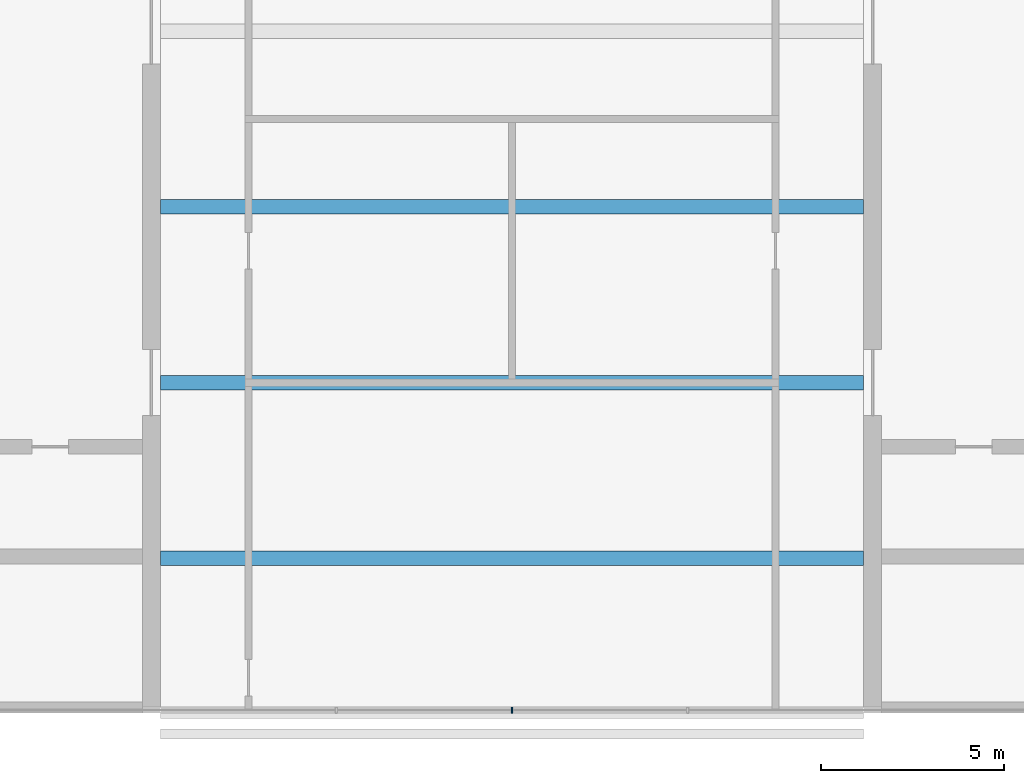
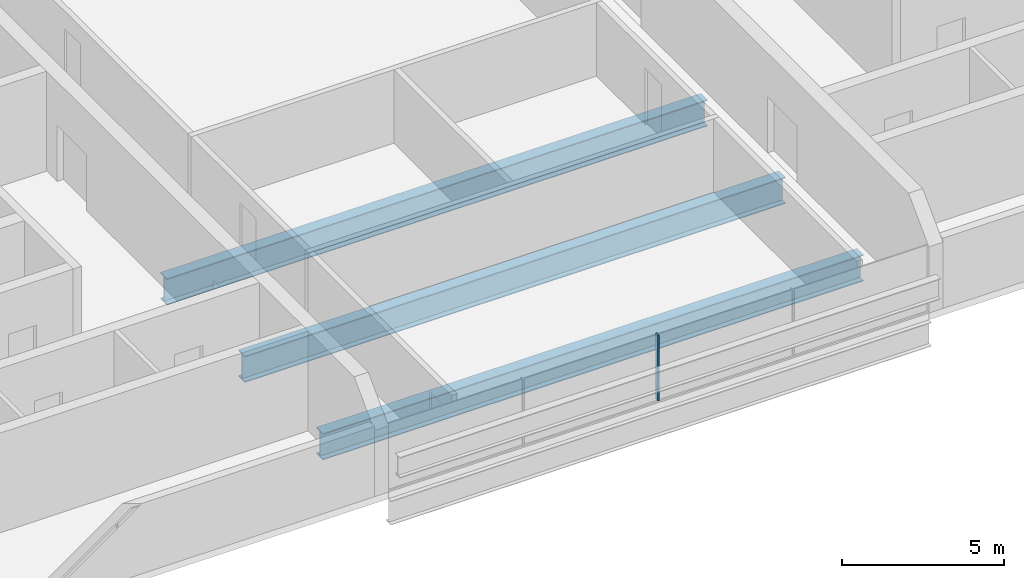
# One storey, part 4 of 12: 3 beams, 1 member, 1 element without a shape of its own.
"""IFC4 building model written with IfcOpenShell, lengths in metres."""

import ifcopenshell
import ifcopenshell.guid

model = None  # the IFC model being written
_history = None  # IfcOwnerHistory: only IFC2X3 demands one
_inside = {}  # id of a spatial element -> (the spatial element, [elements in it])
_under = {}  # id of a project, library or spatial element -> (it, [spatial elements below it])
_declared = {}  # id of a project -> (the project, [libraries it declares])
_typed = {}  # id of a type object -> (the type object, [elements of that type])
_made_of = {}  # id of a material, layer set ... -> (it, [elements and type objects made of it])


def new_model(schema):
    """Start an empty IFC model of exactly this schema.

    Asked for "IFC4X3", IfcOpenShell would pick the latest addendum, in which some entities
    have other attributes; the version numbers below select the first issue.
    IFC2X3 requires an IfcOwnerHistory on every rooted entity: one is made here for all.
    """
    global model, _history
    if schema == "IFC4X3":
        model = ifcopenshell.file(schema_version=(4, 3, 0, 0))
    else:
        model = ifcopenshell.file(schema=schema)
    _inside.clear()
    _under.clear()
    _declared.clear()
    _typed.clear()
    _made_of.clear()
    _history = None
    if model.schema == "IFC2X3":
        org = make("IfcOrganization", Name="unknown")
        user = make(
            "IfcPersonAndOrganization",
            ThePerson=make("IfcPerson", FamilyName="unknown"),
            TheOrganization=org,
        )
        app = make(
            "IfcApplication",
            ApplicationDeveloper=org,
            Version="unknown",
            ApplicationFullName="unknown",
            ApplicationIdentifier="unknown",
        )
        _history = make(
            "IfcOwnerHistory",
            OwningUser=user,
            OwningApplication=app,
            ChangeAction="ADDED",
            CreationDate=0,
        )
    return model


def make(cls, **values):
    """One entity of the class cls with the attributes given. An attribute that is None is left unset."""
    return model.create_entity(
        cls, **{name: value for name, value in values.items() if value is not None}
    )


def rooted(cls, **values):
    """An entity with a GlobalId (a new one), such as an element, a storey or a relation."""
    return make(cls, GlobalId=ifcopenshell.guid.new(), OwnerHistory=_history, **values)


def si_unit(unit_type, name, prefix=None):
    """IfcSIUnit, for example si_unit("LENGTHUNIT", "METRE", prefix="MILLI")."""
    return make("IfcSIUnit", UnitType=unit_type, Prefix=prefix, Name=name)


def assignment(units):
    """IfcUnitAssignment: the units of a project."""
    return None if units is None else make("IfcUnitAssignment", Units=units)


def point(xyz):
    """IfcCartesianPoint."""
    return None if xyz is None else make("IfcCartesianPoint", Coordinates=xyz)


def direction(xyz):
    """IfcDirection."""
    return None if xyz is None else make("IfcDirection", DirectionRatios=xyz)


def frame(location, z_axis=None, x_axis=None):
    """IfcAxis2Placement3D, a coordinate frame: its origin and axes. An axis left out is left unset."""
    return make(
        "IfcAxis2Placement3D",
        Location=point(location),
        Axis=direction(z_axis),
        RefDirection=direction(x_axis),
    )


def frame_2d(location, x_axis=None):
    """IfcAxis2Placement2D, a coordinate frame in the plane: its origin and x axis."""
    return make(
        "IfcAxis2Placement2D", Location=point(location), RefDirection=direction(x_axis)
    )


def origin():
    """The frame at (0, 0, 0) with its axes left unset."""
    return frame((0.0, 0.0, 0.0))


def origin_2d():
    """The frame at (0, 0) in the plane with its x axis left unset."""
    return frame_2d((0.0, 0.0))


def place(relative_to, where):
    """IfcLocalPlacement: puts the frame where relative to a parent placement (None: the world)."""
    return make(
        "IfcLocalPlacement", PlacementRelTo=relative_to, RelativePlacement=where
    )


def context(
    kind, dimensions, precision=None, world=None, true_north=None, identifier=None
):
    """IfcGeometricRepresentationContext, for example the 3D "Model" context."""
    return make(
        "IfcGeometricRepresentationContext",
        ContextIdentifier=identifier,
        ContextType=kind,
        CoordinateSpaceDimension=dimensions,
        Precision=precision,
        WorldCoordinateSystem=world,
        TrueNorth=true_north,
    )


def subcontext(parent, identifier, kind, view, scale=None):
    """IfcGeometricRepresentationSubContext, for example "Body" below "Model"."""
    return make(
        "IfcGeometricRepresentationSubContext",
        ContextIdentifier=identifier,
        ContextType=kind,
        ParentContext=parent,
        TargetScale=scale,
        TargetView=view,
    )


def project(units=None, contexts=None):
    """IfcProject with its units and contexts."""
    return rooted(
        "IfcProject",
        Name="project",
        RepresentationContexts=contexts,
        UnitsInContext=assignment(units),
    )


def spatial(cls, under=None, at=None, **own):
    """A site, building, storey or space (cls), placed at a placement, below another one or the project."""
    s = rooted(cls, ObjectPlacement=at, **own)
    if under is not None:
        _under.setdefault(under.id(), (under, []))[1].append(s)
    return s


def profile(cls, at=None, kind="AREA", **sizes):
    """A parametric profile (cls). Its sizes go by their IFC names, for example OverallWidth=200.0."""
    return make(cls, ProfileType=kind, Position=at, **sizes)


def rectangle(**sizes):
    """IfcRectangleProfileDef."""
    return profile("IfcRectangleProfileDef", **sizes)


def i_section(**sizes):
    """IfcIShapeProfileDef."""
    return profile("IfcIShapeProfileDef", **sizes)


def extrude(swept, where, along, depth):
    """IfcExtrudedAreaSolid: the profile swept, set in the frame where, extruded along a direction by depth."""
    return make(
        "IfcExtrudedAreaSolid",
        SweptArea=swept,
        Position=where,
        ExtrudedDirection=direction(along),
        Depth=depth,
    )


def shape(context_of_items, identifier, shape_type, items):
    """IfcShapeRepresentation: the items that make up one representation, for example the "Body"."""
    return make(
        "IfcShapeRepresentation",
        ContextOfItems=context_of_items,
        RepresentationIdentifier=identifier,
        RepresentationType=shape_type,
        Items=items,
    )


def material(Name=None, Category=None):
    """IfcMaterial."""
    return make("IfcMaterial", Name=Name, Category=Category)


def material_profile(
    of_material, cross_section, Name=None, Category=None, Priority=None
):
    """IfcMaterialProfile: a cross section and its material."""
    return make(
        "IfcMaterialProfile",
        Name=Name,
        Material=of_material,
        Profile=cross_section,
        Priority=Priority,
        Category=Category,
    )


def profile_set(profiles, Name=None, composite=None):
    """IfcMaterialProfileSet."""
    return make(
        "IfcMaterialProfileSet",
        Name=Name,
        MaterialProfiles=profiles,
        CompositeProfile=composite,
    )


def made_of(thing, what):
    """Note that an element or type object is made of a material, layer set ...; save() writes the relation."""
    if what is not None:
        _made_of.setdefault(what.id(), (what, []))[1].append(thing)
    return thing


def type_object(cls, material=None, **own):
    """A type object (cls), such as IfcWallType, which elements share."""
    return made_of(rooted(cls, **own), material)


def element(
    cls,
    number,
    at=None,
    inside=None,
    cuts=None,
    type_object=None,
    material=None,
    context=None,
    identifier="Body",
    shape_type=None,
    held_by="IfcProductDefinitionShape",
    body=None,
    shapes=None,
    **own,
):
    """One element of the class cls, such as IfcWall. Its Tag is "e" and its number.

    at: its placement. inside: the storey or other place that contains it. cuts: it is an
    opening in that element (IfcRelVoidsElement). A single representation is given by context,
    identifier, shape_type and body (its items); several are given by shapes. held_by: the class
    of the entity that holds the representations. save() writes the other relations.
    """
    e = rooted(cls, Tag="e%d" % number, ObjectPlacement=at, **own)
    if body is not None:
        shapes = [shape(context, identifier, shape_type, body)]
    if shapes is not None:
        e.Representation = make(held_by, Representations=shapes)
    if inside is not None:
        _inside.setdefault(inside.id(), (inside, []))[1].append(e)
    if cuts is not None:
        rooted(
            "IfcRelVoidsElement", RelatingBuildingElement=cuts, RelatedOpeningElement=e
        )
    if type_object is not None:
        _typed.setdefault(type_object.id(), (type_object, []))[1].append(e)
    return made_of(e, material)


def aggregate(whole, parts):
    """IfcRelAggregates: a whole, such as a stair, and the parts it consists of."""
    return rooted("IfcRelAggregates", RelatingObject=whole, RelatedObjects=parts)


def save(model, path):
    """Write the relations noted so far, then the file.

    IfcRelAggregates (storeys below a building ...), IfcRelContainedInSpatialStructure (elements
    in a storey), IfcRelDefinesByType, IfcRelAssociatesMaterial and IfcRelDeclares: one each for
    every whole, place, type object, material and project.
    """
    for whole, parts in _under.values():
        aggregate(whole, parts)
    for where, things in _inside.values():
        rooted(
            "IfcRelContainedInSpatialStructure",
            RelatedElements=things,
            RelatingStructure=where,
        )
    for kind, things in _typed.values():
        rooted("IfcRelDefinesByType", RelatedObjects=things, RelatingType=kind)
    for what, things in _made_of.values():
        rooted("IfcRelAssociatesMaterial", RelatedObjects=things, RelatingMaterial=what)
    for by, libraries in _declared.values():
        rooted("IfcRelDeclares", RelatingContext=by, RelatedDefinitions=libraries)
    model.write(path)


model = new_model("IFC4")

# Units and contexts
model_context = context("Model", 3, precision=1e-05, world=origin(), true_north=direction((0.0, 1.0)))
body_context = subcontext(model_context, "Body", "Model", "MODEL_VIEW")
ifc_project = project(units=[si_unit("LENGTHUNIT", "METRE"), si_unit("AREAUNIT", "SQUARE_METRE"), si_unit("VOLUMEUNIT", "CUBIC_METRE"), si_unit("PLANEANGLEUNIT", "RADIAN"), si_unit("MASSUNIT", "GRAM", prefix="KILO")], contexts=[model_context])

# Site, building, storey
site_placement = place(None, origin())
site = spatial("IfcSite", under=ifc_project, at=site_placement, CompositionType="ELEMENT")
building_placement = place(site_placement, origin())
building = spatial("IfcBuilding", under=site, at=building_placement, Name="Baori Bourse Tower", CompositionType="ELEMENT")
storey_placement = place(building_placement, frame((0.0, 0.0, 370.300048828125)))
storey = spatial("IfcBuildingStorey", under=building, at=storey_placement, Name="L83", CompositionType="ELEMENT", Elevation=370.300048828125)

# Curtain wall, member
ifc_material_1 = material(Name="Pale anodised aluminium", Category="aluminium")
curtain_wall_type = type_object("IfcCurtainWallType", Name="CW3 Curtain wall", PredefinedType="NOTDEFINED", material=ifc_material_1)
curtain_wall_placement = place(storey_placement, origin())
curtain_wall = element("IfcCurtainWall", 1, at=curtain_wall_placement, inside=storey, type_object=curtain_wall_type, Name="Curtain wall CW3 L83 1", PredefinedType="NOTDEFINED")
ifc_material_2 = material(Name="Pale anodised aluminium", Category="aluminium")
ifc_material_profile_1 = material_profile(ifc_material_2, rectangle(XDim=0.159912109375, YDim=0.050048828125, at=origin_2d()), Name="Mullion 50x160")
ifc_profile_set_1 = profile_set([ifc_material_profile_1], Name="Pale anodised aluminium")
member_type = type_object("IfcMemberType", Name="CW3 Curtain wall mullion", PredefinedType="MULLION", material=ifc_profile_set_1)
member_placement = place(storey_placement, frame((28.800048828125, 10.2529296875, 0.06005859375), z_axis=(0.0, 0.0, 1.0), x_axis=(0.0, 1.0, 0.0)))
member = element("IfcMember", 2, at=member_placement, type_object=member_type, Name="Curtain wall CW3 mullion", PredefinedType="MULLION", context=body_context, shape_type="SweptSolid", body=[
    extrude(rectangle(XDim=0.159912109375, YDim=0.050048828125, at=origin_2d()), origin(), (0.0, 0.0, 1.0), 2.469970703125),
])
aggregate(curtain_wall, [member])

# Beams
ifc_material_3 = material(Name="Steel A992 Gr 50", Category="steel")
ifc_material_profile_2 = material_profile(ifc_material_3, i_section(OverallWidth=0.4013671875, OverallDepth=0.990478515625, WebThickness=0.0166015625, FlangeThickness=0.031005859375, at=origin_2d()), Name="W40x215")
ifc_profile_set_2 = profile_set([ifc_material_profile_2], Name="Steel A992 Gr 50")
beam_type = type_object("IfcBeamType", Name="Floor beam W40x215", PredefinedType="BEAM", material=ifc_profile_set_2)
for number, where, z_axis, x_axis, name in (
    (3, (19.199951171875, 14.39990234375, -0.745361328125), (1.0, 0.0, 0.0), (0.0, 1.0, 0.0), "Floor beam L83"),
    (4, (19.199951171875, 19.199951171875, -0.745361328125), (1.0, 0.0, 0.0), (0.0, 1.0, 0.0), "Floor beam L83"),
    (5, (19.199951171875, 24.0, -0.745361328125), (1.0, 0.0, 0.0), (0.0, 1.0, 0.0), "Floor beam L83"),
):
    element("IfcBeam", number, at=place(storey_placement, frame(where, z_axis=z_axis, x_axis=x_axis)), inside=storey, type_object=beam_type, Name=name, PredefinedType="BEAM", context=body_context, shape_type="SweptSolid", body=[
        extrude(i_section(OverallWidth=0.4013671875, OverallDepth=0.990478515625, WebThickness=0.0166015625, FlangeThickness=0.031005859375, at=origin_2d()), origin(), (0.0, 0.0, 1.0), 19.199951171875),
    ])

save(model, "model.ifc")
